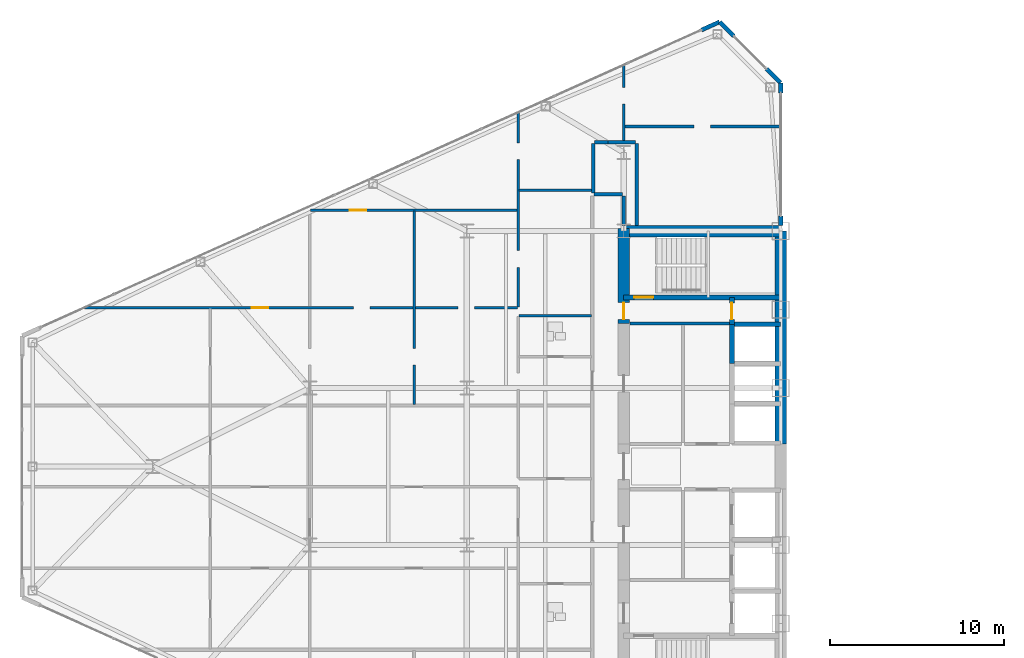
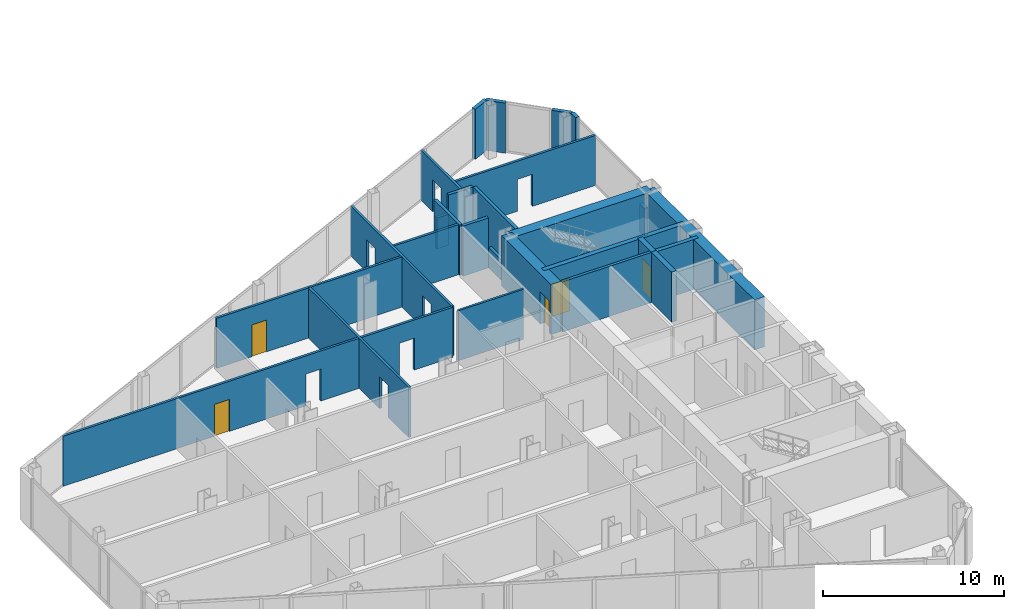
# One storey, part 21 of 27: 27 walls, 5 doors, 12 openings.
"""IFC4 building model written with IfcOpenShell, lengths in metres."""

from ifc_helpers import new_model, si_unit, direction, frame, frame_2d, origin, place, context, subcontext, project, spatial, rectangle, extrude, source, transform, mapped, material, layer, layer_set, type_object, type_shapes, element, fill, save


model = new_model("IFC4")

# Units and contexts
model_context = context("Model", 3, precision=1e-05, world=origin(), true_north=direction((0.0, 1.0)))
body_context = subcontext(model_context, "Body", "Model", "MODEL_VIEW")
ifc_project = project(units=[si_unit("LENGTHUNIT", "METRE"), si_unit("AREAUNIT", "SQUARE_METRE"), si_unit("VOLUMEUNIT", "CUBIC_METRE"), si_unit("PLANEANGLEUNIT", "RADIAN"), si_unit("MASSUNIT", "GRAM", prefix="KILO")], contexts=[model_context])

# Site, building, storey
site_placement = place(None, origin())
site = spatial("IfcSite", under=ifc_project, at=site_placement, CompositionType="ELEMENT")
building_placement = place(site_placement, origin())
building = spatial("IfcBuilding", under=site, at=building_placement, Name="Seokmaru Belvedere", CompositionType="ELEMENT")
storey_placement = place(building_placement, frame((0.0, 0.0, 106.800048828125)))
storey = spatial("IfcBuildingStorey", under=building, at=storey_placement, Name="L28", CompositionType="ELEMENT", Elevation=106.800048828125)

# Wall, openings, door
ifc_material_1 = material(Name="Fire-Rated Gypsum Shaftwall")
ifc_layer_1 = layer(ifc_material_1, 0.14990234375)
ifc_layer_set_1 = layer_set([ifc_layer_1], Name="Fire-Rated Gypsum Shaftwall")
wall_type_1 = type_object("IfcWallType", Name="Apartment Fire-Acoustic Room Partition 150", PredefinedType="PARTITIONING", material=ifc_layer_set_1)
wall_1_placement = place(storey_placement, frame((-67.47802734375, 9.10009765625, 0.0), z_axis=(0.0, 0.0, 1.0), x_axis=(1.0, 0.0, 0.0)))
wall_1 = element("IfcWall", 1, at=wall_1_placement, inside=storey, type_object=wall_type_1, Name="L28 Interior Partition 025", PredefinedType="PARTITIONING", context=body_context, shape_type="SweptSolid", body=[
    extrude(rectangle(XDim=24.8779296875, YDim=0.14990234375, at=frame_2d((12.43896484375, 0.0))), origin(), (0.0, 0.0, 1.0), 3.3798828125),
])
opening_1_placement = place(wall_1_placement, frame((21.465576171875, 0.0, 0.0)))
element("IfcOpeningElement", 2, at=opening_1_placement, cuts=wall_1, Name="L28 Cased Opening 026", PredefinedType="OPENING", context=body_context, shape_type="SweptSolid", body=[
    extrude(rectangle(XDim=0.949951171875, YDim=2.14990234375, at=frame_2d((0.47509765625, 1.074951171875))), frame((0.0, 0.0849609375, 0.0), z_axis=(0.0, -1.0, 0.0), x_axis=(1.0, 0.0, 0.0)), (0.0, 0.0, 1.0), 0.169921875),
])
opening_2_placement = place(wall_1_placement, frame((9.653076171875, 0.0, 0.0)))
opening_2 = element("IfcOpeningElement", 3, at=opening_2_placement, cuts=wall_1, Name="Opening D05", PredefinedType="OPENING", context=body_context, shape_type="SweptSolid", body=[
    extrude(rectangle(XDim=0.949951171875, YDim=2.14990234375, at=frame_2d((0.47509765625, 1.074951171875))), frame((0.0, 0.0849609375, 0.0), z_axis=(0.0, -1.0, 0.0), x_axis=(1.0, 0.0, 0.0)), (0.0, 0.0, 1.0), 0.169921875),
])
opening_3_placement = place(wall_1_placement, frame((15.490478515625, 0.0, 0.0)))
element("IfcOpeningElement", 4, at=opening_3_placement, cuts=wall_1, Name="L28 Cased Opening 031", PredefinedType="OPENING", context=body_context, shape_type="SweptSolid", body=[
    extrude(rectangle(XDim=0.949951171875, YDim=2.14990234375, at=frame_2d((0.47509765625, 1.074951171875))), frame((0.0, 0.0849609375, 0.0), z_axis=(0.0, -1.0, 0.0), x_axis=(1.0, 0.0, 0.0)), (0.0, 0.0, 1.0), 0.169921875),
])
ifc_material_2 = material(Name="Engineered White Oak Timber", Category="wood")
door_type_1 = type_object("IfcDoorType", Name="Apartment Interior Fire-Rated Oak Door 950x2150", OperationType="NOTDEFINED", PredefinedType="DOOR", material=ifc_material_2)
shared_shape_1 = source(origin(), body_context, "Body", "SweptSolid", [
    extrude(rectangle(XDim=0.949951171875, YDim=2.14990234375, at=frame_2d((0.47509765625, 1.074951171875))), frame((0.0, 0.02490234375, 0.0), z_axis=(0.0, -1.0, 0.0), x_axis=(1.0, 0.0, 0.0)), (0.0, 0.0, 1.0), 0.050048828125),
])
type_shapes(door_type_1, [shared_shape_1])
door_1_placement = place(opening_2_placement, origin())
door_1 = element("IfcDoor", 5, at=door_1_placement, inside=storey, type_object=door_type_1, Name="L28 Interior Door 030", OperationType="SINGLE_SWING_RIGHT", OverallHeight=2.14990234375, OverallWidth=0.949951171875, PredefinedType="DOOR", context=body_context, shape_type="MappedRepresentation", body=[
    mapped(shared_shape_1, transform((0.0, 0.0, 0.0), scale=1.0)),
])
fill(opening_2, door_1)

# Wall, opening, door
wall_2_placement = place(storey_placement, frame((-54.449951171875, 14.699951171875, 0.0), z_axis=(0.0, 0.0, 1.0), x_axis=(1.0, 0.0, 0.0)))
wall_2 = element("IfcWall", 6, at=wall_2_placement, inside=storey, type_object=wall_type_1, Name="L28 Interior Partition 028", PredefinedType="PARTITIONING", context=body_context, shape_type="SweptSolid", body=[
    extrude(rectangle(XDim=11.849853515625, YDim=0.14990234375, at=frame_2d((5.9248046875, 0.0))), origin(), (0.0, 0.0, 1.0), 3.3798828125),
])
opening_4_placement = place(wall_2_placement, frame((2.24365234375, 0.0, 0.0)))
opening_4 = element("IfcOpeningElement", 7, at=opening_4_placement, cuts=wall_2, Name="Opening D05", PredefinedType="OPENING", context=body_context, shape_type="SweptSolid", body=[
    extrude(rectangle(XDim=0.949951171875, YDim=2.14990234375, at=frame_2d((0.47509765625, 1.074951171875))), frame((0.0, 0.0849609375, 0.0), z_axis=(0.0, -1.0, 0.0), x_axis=(1.0, 0.0, 0.0)), (0.0, 0.0, 1.0), 0.169921875),
])
door_2_placement = place(opening_4_placement, origin())
door_2 = element("IfcDoor", 8, at=door_2_placement, inside=storey, type_object=door_type_1, Name="L28 Interior Door 032", OperationType="SINGLE_SWING_LEFT", OverallHeight=2.14990234375, OverallWidth=0.949951171875, PredefinedType="DOOR", context=body_context, shape_type="MappedRepresentation", body=[
    mapped(shared_shape_1, transform((0.0, 0.0, 0.0), scale=1.0)),
])
fill(opening_4, door_2)

# Wall
wall_3_placement = place(storey_placement, frame((-42.5, 15.840087890625, 0.0), z_axis=(0.0, 0.0, 1.0), x_axis=(1.0, 0.0, 0.0)))
element("IfcWall", 9, at=wall_3_placement, inside=storey, type_object=wall_type_1, Name="L28 Interior Partition 031", PredefinedType="PARTITIONING", context=body_context, shape_type="SweptSolid", body=[
    extrude(rectangle(XDim=4.199951171875, YDim=0.14990234375, at=frame_2d((2.10009765625, 0.0))), origin(), (0.0, 0.0, 1.0), 3.3798828125),
])

# Wall, opening
wall_4_placement = place(storey_placement, frame((-36.449951171875, 19.5, 0.0), z_axis=(0.0, 0.0, 1.0), x_axis=(1.0, 0.0, 0.0)))
wall_4 = element("IfcWall", 10, at=wall_4_placement, inside=storey, type_object=wall_type_1, Name="L28 Interior Partition 035", PredefinedType="PARTITIONING", context=body_context, shape_type="SweptSolid", body=[
    extrude(rectangle(XDim=8.98486328125, YDim=0.14990234375, at=frame_2d((4.492431640625, 0.0))), origin(), (0.0, 0.0, 1.0), 3.3798828125),
])
opening_5_placement = place(wall_4_placement, frame((3.97509765625, 0.0, 0.0)))
element("IfcOpeningElement", 11, at=opening_5_placement, cuts=wall_4, Name="L28 Cased Opening 035", PredefinedType="OPENING", context=body_context, shape_type="SweptSolid", body=[
    extrude(rectangle(XDim=0.949951171875, YDim=2.14990234375, at=frame_2d((0.47509765625, 1.074951171875))), frame((0.0, 0.0849609375, 0.0), z_axis=(0.0, -1.0, 0.0), x_axis=(1.0, 0.0, 0.0)), (0.0, 0.0, 1.0), 0.169921875),
])

wall_5_placement = place(storey_placement, frame((-48.52001953125, 3.550048828125, 0.0), z_axis=(0.0, 0.0, 1.0), x_axis=(0.0, 1.0, 0.0)))
wall_5 = element("IfcWall", 12, at=wall_5_placement, inside=storey, type_object=wall_type_1, Name="L28 Interior Partition 040", PredefinedType="PARTITIONING", context=body_context, shape_type="SweptSolid", body=[
    extrude(rectangle(XDim=11.10205078125, YDim=0.14990234375, at=frame_2d((5.551025390625, 0.0))), origin(), (0.0, 0.0, 1.0), 3.3798828125),
])
opening_6_placement = place(wall_5_placement, frame((2.275390625, 0.0, 0.0)))
element("IfcOpeningElement", 13, at=opening_6_placement, cuts=wall_5, Name="L28 Cased Opening 025", PredefinedType="OPENING", context=body_context, shape_type="SweptSolid", body=[
    extrude(rectangle(XDim=0.949951171875, YDim=2.14990234375, at=frame_2d((0.47509765625, 1.074951171875))), frame((0.0, 0.0849609375, 0.0), z_axis=(0.0, -1.0, 0.0), x_axis=(1.0, 0.0, 0.0)), (0.0, 0.0, 1.0), 0.169921875),
])

# Wall, openings
wall_6_placement = place(storey_placement, frame((-42.550048828125, 9.15087890625, 0.0), z_axis=(0.0, 0.0, 1.0), x_axis=(0.0, 1.0, 0.0)))
wall_6 = element("IfcWall", 14, at=wall_6_placement, inside=storey, type_object=wall_type_1, Name="L28 Interior Partition 043", PredefinedType="PARTITIONING", context=body_context, shape_type="SweptSolid", body=[
    extrude(rectangle(XDim=11.18603515625, YDim=0.14990234375, at=frame_2d((5.593017578125, 0.0))), origin(), (0.0, 0.0, 1.0), 3.3798828125),
])
opening_7_placement = place(wall_6_placement, frame((2.275390625, 0.0, 0.0)))
element("IfcOpeningElement", 15, at=opening_7_placement, cuts=wall_6, Name="L28 Cased Opening 027", PredefinedType="OPENING", context=body_context, shape_type="SweptSolid", body=[
    extrude(rectangle(XDim=0.949951171875, YDim=2.14990234375, at=frame_2d((0.47509765625, 1.074951171875))), frame((0.0, 0.0849609375, 0.0), z_axis=(0.0, -1.0, 0.0), x_axis=(1.0, 0.0, 0.0)), (0.0, 0.0, 1.0), 0.169921875),
])
opening_8_placement = place(wall_6_placement, frame((8.44287109375, 0.0, 0.0)))
element("IfcOpeningElement", 16, at=opening_8_placement, cuts=wall_6, Name="L28 Cased Opening 033", PredefinedType="OPENING", context=body_context, shape_type="SweptSolid", body=[
    extrude(rectangle(XDim=0.949951171875, YDim=2.14990234375, at=frame_2d((0.47509765625, 1.074951171875))), frame((0.0, 0.0849609375, 0.0), z_axis=(0.0, -1.0, 0.0), x_axis=(1.0, 0.0, 0.0)), (0.0, 0.0, 1.0), 0.169921875),
])

# Wall, opening
wall_7_placement = place(storey_placement, frame((-36.5, 18.64990234375, 0.0), z_axis=(0.0, 0.0, 1.0), x_axis=(0.0, 1.0, 0.0)))
wall_7 = element("IfcWall", 17, at=wall_7_placement, inside=storey, type_object=wall_type_1, Name="L28 Interior Partition 050", PredefinedType="PARTITIONING", context=body_context, shape_type="SweptSolid", body=[
    extrude(rectangle(XDim=4.41015625, YDim=0.14990234375, at=frame_2d((2.205078125, 0.0))), origin(), (0.0, 0.0, 1.0), 3.3798828125),
])
opening_9_placement = place(wall_7_placement, frame((2.137451171875, 0.0, 0.0)))
element("IfcOpeningElement", 18, at=opening_9_placement, cuts=wall_7, Name="L28 Cased Opening 034", PredefinedType="OPENING", context=body_context, shape_type="SweptSolid", body=[
    extrude(rectangle(XDim=0.949951171875, YDim=2.14990234375, at=frame_2d((0.47509765625, 1.074951171875))), frame((0.0, 0.0849609375, 0.0), z_axis=(0.0, -1.0, 0.0), x_axis=(1.0, 0.0, 0.0)), (0.0, 0.0, 1.0), 0.169921875),
])

# Walls
ifc_layer_2 = layer(ifc_material_1, 0.179931640625)
ifc_layer_set_2 = layer_set([ifc_layer_2], Name="Fire-Rated Gypsum Shaftwall")
wall_type_2 = type_object("IfcWallType", Name="Core Service Fire Partition 180", PredefinedType="PARTITIONING", material=ifc_layer_set_2)
wall_8_placement = place(storey_placement, frame((-36.14990234375, 8.199951171875, 0.0), z_axis=(0.0, 0.0, 1.0), x_axis=(1.0, 0.0, 0.0)))
element("IfcWall", 19, at=wall_8_placement, inside=storey, type_object=wall_type_2, Name="L28 West Smokeproof Vestibule Partition", PredefinedType="PARTITIONING", context=body_context, shape_type="SweptSolid", body=[
    extrude(rectangle(XDim=5.699951171875, YDim=0.179931640625, at=frame_2d((2.85009765625, 0.0))), origin(), (0.0, 0.0, 1.0), 3.3798828125),
])
ifc_material_3 = material(Name="Concrete C50 (50 MPa)", Category="concrete")
ifc_layer_3 = layer(ifc_material_3, 0.25)
ifc_layer_set_3 = layer_set([ifc_layer_3], Name="Concrete C50 (50 MPa)")
wall_type_3 = type_object("IfcWallType", Name="Hoistway Transverse Concrete Divider Wall 250", PredefinedType="SHEAR", material=ifc_layer_set_3)
wall_9_placement = place(storey_placement, frame((-30.300048828125, 8.14990234375, 0.0), z_axis=(0.0, 0.0, 1.0), x_axis=(1.0, 0.0, 0.0)))
element("IfcWall", 20, at=wall_9_placement, inside=storey, type_object=wall_type_3, Name="L28 West Hoistway Divider Core Wall 7", PredefinedType="SHEAR", context=body_context, shape_type="SweptSolid", body=[
    extrude(rectangle(XDim=2.800048828125, YDim=0.25, at=frame_2d((1.39990234375, 0.0))), origin(), (0.0, 0.0, 1.0), 3.3798828125),
])
ifc_layer_4 = layer(ifc_material_1, 0.199951171875)
ifc_layer_set_4 = layer_set([ifc_layer_4], Name="Fire-Rated Gypsum Shaftwall")
wall_type_4 = type_object("IfcWallType", Name="Inter-Tenancy Fire Compartment Partition 200", PredefinedType="PARTITIONING", material=ifc_layer_set_4)
wall_10_placement = place(storey_placement, frame((-38.215087890625, 15.60009765625, 0.0), z_axis=(0.0, 0.0, 1.0), x_axis=(1.0, 0.0, 0.0)))
element("IfcWall", 21, at=wall_10_placement, inside=storey, type_object=wall_type_4, Name="L28 Interior Partition 029", PredefinedType="PARTITIONING", context=body_context, shape_type="SweptSolid", body=[
    extrude(rectangle(XDim=1.630126953125, YDim=0.199951171875, at=frame_2d((0.81494140625, 0.0))), origin(), (0.0, 0.0, 1.0), 3.3798828125),
])
wall_11_placement = place(storey_placement, frame((-38.1650390625, 18.60009765625, 0.0), z_axis=(0.0, 0.0, 1.0), x_axis=(1.0, 0.0, 0.0)))
element("IfcWall", 22, at=wall_11_placement, inside=storey, type_object=wall_type_4, Name="L28 Interior Partition 033", PredefinedType="PARTITIONING", context=body_context, shape_type="SweptSolid", body=[
    extrude(rectangle(XDim=0.753173828125, YDim=0.199951171875, at=frame_2d((0.37646484375, 0.0))), origin(), (0.0, 0.0, 1.0), 2.079833984375),
])
wall_12_placement = place(storey_placement, frame((-37.411865234375, 18.60009765625, 0.0), z_axis=(0.0, 0.0, 1.0), x_axis=(1.0, 0.0, 0.0)))
element("IfcWall", 23, at=wall_12_placement, inside=storey, type_object=wall_type_4, Name="L28 Interior Partition 033 Part 2", PredefinedType="PARTITIONING", context=body_context, shape_type="SweptSolid", body=[
    extrude(rectangle(XDim=1.576904296875, YDim=0.199951171875, at=frame_2d((0.78857421875, 0.0))), origin(), (0.0, 0.0, 1.0), 3.3798828125),
])
wall_13_placement = place(storey_placement, frame((-38.25, 15.68505859375, 0.0), z_axis=(0.0, 0.0, 1.0), x_axis=(0.0, 1.0, 0.0)))
element("IfcWall", 24, at=wall_13_placement, inside=storey, type_object=wall_type_4, Name="L28 Interior Partition 046", PredefinedType="PARTITIONING", context=body_context, shape_type="SweptSolid", body=[
    extrude(rectangle(XDim=2.829833984375, YDim=0.199951171875, at=frame_2d((1.4150390625, 0.0))), origin(), (0.0, 0.0, 1.0), 3.3798828125),
])
wall_14_placement = place(storey_placement, frame((-36.5, 13.830078125, 0.0), z_axis=(0.0, 0.0, 1.0), x_axis=(0.0, 1.0, 0.0)))
element("IfcWall", 25, at=wall_14_placement, inside=storey, type_object=wall_type_4, Name="L28 Interior Partition 049", PredefinedType="PARTITIONING", context=body_context, shape_type="SweptSolid", body=[
    extrude(rectangle(XDim=1.684814453125, YDim=0.199951171875, at=frame_2d((0.84228515625, 0.0))), origin(), (0.0, 0.0, 1.0), 1.3798828125),
])
wall_15_placement = place(storey_placement, frame((-35.75, 13.830078125, 0.0), z_axis=(0.0, 0.0, 1.0), x_axis=(0.0, 1.0, 0.0)))
element("IfcWall", 26, at=wall_15_placement, inside=storey, type_object=wall_type_4, Name="L28 Interior Partition 052", PredefinedType="PARTITIONING", context=body_context, shape_type="SweptSolid", body=[
    extrude(rectangle(XDim=4.684814453125, YDim=0.199951171875, at=frame_2d((2.34228515625, 0.0))), origin(), (0.0, 0.0, 1.0), 3.3798828125),
])

# Wall, opening, door
ifc_layer_5 = layer(ifc_material_3, 0.300048828125)
ifc_layer_set_5 = layer_set([ifc_layer_5], Name="Concrete C50 (50 MPa)")
wall_type_5 = type_object("IfcWallType", Name="Internal Core Stair and Hoistway Wall 300", PredefinedType="SHEAR", material=ifc_layer_set_5)
wall_16_placement = place(storey_placement, frame((-36.5, 9.699951171875, 0.0), z_axis=(0.0, 0.0, 1.0), x_axis=(1.0, 0.0, 0.0)))
wall_16 = element("IfcWall", 27, at=wall_16_placement, inside=storey, type_object=wall_type_5, Name="L28 West Stair ST-2 Enclosure Wall", PredefinedType="SHEAR", context=body_context, shape_type="SweptSolid", body=[
    extrude(rectangle(XDim=9.0, YDim=0.300048828125, at=frame_2d((4.5, 0.0))), origin(), (0.0, 0.0, 1.0), 3.3798828125),
])
opening_10_placement = place(wall_16_placement, frame((0.60009765625, 0.0, 0.0)))
opening_10 = element("IfcOpeningElement", 28, at=opening_10_placement, cuts=wall_16, Name="Opening D01", PredefinedType="OPENING", context=body_context, shape_type="SweptSolid", body=[
    extrude(rectangle(XDim=1.10009765625, YDim=2.199951171875, at=frame_2d((0.550048828125, 1.10009765625))), frame((0.0, 0.16015625, 0.0), z_axis=(0.0, -1.0, 0.0), x_axis=(1.0, 0.0, 0.0)), (0.0, 0.0, 1.0), 0.320068359375),
])
ifc_material_4 = material(Name="Fire-Rated Steel Leaf", Category="steel")
door_type_2 = type_object("IfcDoorType", Name="Special Escape Stair Smokeproof Fire Door 1100x2200", OperationType="NOTDEFINED", PredefinedType="DOOR", material=ifc_material_4)
shared_shape_2 = source(origin(), body_context, "Body", "SweptSolid", [
    extrude(rectangle(XDim=1.10009765625, YDim=2.199951171875, at=frame_2d((0.550048828125, 1.10009765625))), frame((0.0, 0.02490234375, 0.0), z_axis=(0.0, -1.0, 0.0), x_axis=(1.0, 0.0, 0.0)), (0.0, 0.0, 1.0), 0.050048828125),
])
type_shapes(door_type_2, [shared_shape_2])
door_3_placement = place(opening_10_placement, origin())
door_3 = element("IfcDoor", 29, at=door_3_placement, inside=storey, type_object=door_type_2, Name="L28 West Special Escape Stair ST-2 Door", OperationType="SINGLE_SWING_RIGHT", OverallHeight=2.199951171875, OverallWidth=1.10009765625, PredefinedType="DOOR", context=body_context, shape_type="MappedRepresentation", body=[
    mapped(shared_shape_2, transform((0.0, 0.0, 0.0), scale=1.0)),
])
fill(opening_10, door_3)

# Wall
wall_17_placement = place(storey_placement, frame((-30.300048828125, 5.89990234375, 0.0), z_axis=(0.0, 0.0, 1.0), x_axis=(0.0, 1.0, 0.0)))
element("IfcWall", 30, at=wall_17_placement, inside=storey, type_object=wall_type_5, Name="L28 West North Hoistway Wall OBS", PredefinedType="SHEAR", context=body_context, shape_type="SweptSolid", body=[
    extrude(rectangle(XDim=2.25, YDim=0.300048828125, at=frame_2d((1.125, 0.0))), origin(), (0.0, 0.0, 1.0), 3.3798828125),
])

# Wall, opening, door
wall_18_placement = place(storey_placement, frame((-30.300048828125, 8.14990234375, 0.0), z_axis=(0.0, 0.0, 1.0), x_axis=(0.0, 1.0, 0.0)))
wall_18 = element("IfcWall", 31, at=wall_18_placement, inside=storey, type_object=wall_type_5, Name="L28 West Electrical Riser Front Wall", PredefinedType="SHEAR", context=body_context, shape_type="SweptSolid", body=[
    extrude(rectangle(XDim=1.530029296875, YDim=0.300048828125, at=frame_2d((0.76513671875, 0.0))), origin(), (0.0, 0.0, 1.0), 3.3798828125),
])
opening_11_placement = place(wall_18_placement, frame((0.284912109375, 0.0, 0.0)))
opening_11 = element("IfcOpeningElement", 32, at=opening_11_placement, cuts=wall_18, Name="Opening D04", PredefinedType="OPENING", context=body_context, shape_type="SweptSolid", body=[
    extrude(rectangle(XDim=0.949951171875, YDim=2.14990234375, at=frame_2d((0.47509765625, 1.074951171875))), frame((0.0, 0.16015625, 0.0), z_axis=(0.0, -1.0, 0.0), x_axis=(1.0, 0.0, 0.0)), (0.0, 0.0, 1.0), 0.320068359375),
])
door_type_3 = type_object("IfcDoorType", Name="Core Service Room Fire Door 950x2150", OperationType="NOTDEFINED", PredefinedType="DOOR", material=ifc_material_4)
shared_shape_3 = source(origin(), body_context, "Body", "SweptSolid", [
    extrude(rectangle(XDim=0.949951171875, YDim=2.14990234375, at=frame_2d((0.47509765625, 1.074951171875))), frame((0.0, 0.02490234375, 0.0), z_axis=(0.0, -1.0, 0.0), x_axis=(1.0, 0.0, 0.0)), (0.0, 0.0, 1.0), 0.050048828125),
])
type_shapes(door_type_3, [shared_shape_3])
door_4_placement = place(opening_11_placement, origin())
door_4 = element("IfcDoor", 33, at=door_4_placement, inside=storey, type_object=door_type_3, Name="L28 West Electrical Riser Access Door", OperationType="SINGLE_SWING_LEFT", OverallHeight=2.14990234375, OverallWidth=0.949951171875, PredefinedType="DOOR", context=body_context, shape_type="MappedRepresentation", body=[
    mapped(shared_shape_3, transform((0.0, 0.0, 0.0), scale=1.0)),
])
fill(opening_11, door_4)

# Walls
ifc_material_5 = material(Name="Concrete C60 (60 MPa)", Category="concrete")
ifc_layer_6 = layer(ifc_material_5, 0.64990234375)
ifc_layer_set_6 = layer_set([ifc_layer_6], Name="Concrete C60 (60 MPa)")
wall_type_6 = type_object("IfcWallType", Name="Mid-Low Reinforced Concrete Core Wall 650", PredefinedType="SHEAR", material=ifc_layer_set_6)
wall_19_placement = place(storey_placement, frame((-27.5, 1.300048828125, 0.0), z_axis=(0.0, 0.0, 1.0), x_axis=(0.0, 1.0, 0.0)))
element("IfcWall", 34, at=wall_19_placement, inside=storey, type_object=wall_type_6, Name="L28 West Portal Spine Core Wall North", PredefinedType="SHEAR", context=body_context, shape_type="SweptSolid", body=[
    extrude(rectangle(XDim=12.199951171875, YDim=0.64990234375, at=frame_2d((6.10009765625, 0.0))), origin(), (0.0, 0.0, 1.0), 3.3798828125),
])
wall_20_placement = place(storey_placement, frame((-36.5, 13.5, 0.0), z_axis=(0.0, 0.0, 1.0), x_axis=(1.0, 0.0, 0.0)))
element("IfcWall", 35, at=wall_20_placement, inside=storey, type_object=wall_type_6, Name="L28 West North Core Wall", PredefinedType="SHEAR", context=body_context, shape_type="SweptSolid", body=[
    extrude(rectangle(XDim=9.0, YDim=0.64990234375, at=frame_2d((4.5, 0.0))), origin(), (0.0, 0.0, 1.0), 3.3798828125),
])

# Wall, opening, door
wall_21_placement = place(storey_placement, frame((-36.5, 8.199951171875, 0.0), z_axis=(0.0, 0.0, 1.0), x_axis=(0.0, 1.0, 0.0)))
wall_21 = element("IfcWall", 36, at=wall_21_placement, inside=storey, type_object=wall_type_6, Name="L28 West West Core Wall VST", PredefinedType="SHEAR", context=body_context, shape_type="SweptSolid", body=[
    extrude(rectangle(XDim=5.449951171875, YDim=0.64990234375, at=frame_2d((2.72509765625, 0.0))), origin(), (0.0, 0.0, 1.0), 3.3798828125),
])
opening_12_placement = place(wall_21_placement, frame((0.2451171875, 0.0, 0.0)))
opening_12 = element("IfcOpeningElement", 37, at=opening_12_placement, cuts=wall_21, Name="Opening D04", PredefinedType="OPENING", context=body_context, shape_type="SweptSolid", body=[
    extrude(rectangle(XDim=0.949951171875, YDim=2.14990234375, at=frame_2d((0.47509765625, 1.074951171875))), frame((0.0, 0.3349609375, 0.0), z_axis=(0.0, -1.0, 0.0), x_axis=(1.0, 0.0, 0.0)), (0.0, 0.0, 1.0), 0.669921875),
])
door_5_placement = place(opening_12_placement, frame((0.949951171875, 0.0, 0.0), z_axis=(0.0, 0.0, 1.0), x_axis=(-1.0, 0.0, 0.0)))
door_5 = element("IfcDoor", 38, at=door_5_placement, inside=storey, type_object=door_type_3, Name="L28 West Smokeproof Vestibule Door", OperationType="SINGLE_SWING_RIGHT", OverallHeight=2.14990234375, OverallWidth=0.949951171875, PredefinedType="DOOR", context=body_context, shape_type="MappedRepresentation", body=[
    mapped(shared_shape_3, transform((0.0, 0.0, 0.0), scale=1.0)),
])
fill(opening_12, door_5)

# Walls
ifc_layer_7 = layer(ifc_material_1, 0.1298828125)
ifc_layer_set_7 = layer_set([ifc_layer_7], Name="Fire-Rated Gypsum Shaftwall")
wall_type_7 = type_object("IfcWallType", Name="Moisture-Resistant Fire-Rated Bathroom Partition 130", PredefinedType="PARTITIONING", material=ifc_layer_set_7)
wall_22_placement = place(storey_placement, frame((-42.5, 8.639892578125, 0.0), z_axis=(0.0, 0.0, 1.0), x_axis=(1.0, 0.0, 0.0)))
element("IfcWall", 39, at=wall_22_placement, inside=storey, type_object=wall_type_7, Name="L28 Interior Partition 024", PredefinedType="PARTITIONING", context=body_context, shape_type="SweptSolid", body=[
    extrude(rectangle(XDim=4.14990234375, YDim=0.1298828125, at=frame_2d((2.074951171875, 0.0))), origin(), (0.0, 0.0, 1.0), 3.3798828125),
])
ifc_material_6 = material(Name="Anodised Bronze Aluminium", Category="aluminium")
ifc_layer_8 = layer(ifc_material_6, 0.239990234375)
ifc_layer_set_8 = layer_set([ifc_layer_8], Name="Anodised Bronze Aluminium")
wall_type_8 = type_object("IfcWallType", Name="Tower Corner Spandrel Closure Wall 240", PredefinedType="SOLIDWALL", material=ifc_layer_set_8)
wall_23_placement = place(storey_placement, frame((-27.5, 13.830078125, 0.0), z_axis=(0.0, 0.0, 1.0), x_axis=(0.0, 1.0, 0.0)))
element("IfcWall", 40, at=wall_23_placement, inside=storey, type_object=wall_type_8, Name="L28 W Spine Closure Pier 2A", PredefinedType="SOLIDWALL", context=body_context, shape_type="SweptSolid", body=[
    extrude(rectangle(XDim=0.5498046875, YDim=0.239990234375, at=frame_2d((0.27490234375, 0.0))), origin(), (0.0, 0.0, 1.0), 1.8798828125),
])
wall_24_placement = place(storey_placement, frame((-27.5, 21.429931640625, 0.0), z_axis=(0.0, 0.0, 1.0), x_axis=(0.0, 1.0, 0.0)))
element("IfcWall", 41, at=wall_24_placement, inside=storey, type_object=wall_type_8, Name="L28 W Spine Closure Pier 2B", PredefinedType="SOLIDWALL", context=body_context, shape_type="SweptSolid", body=[
    extrude(rectangle(XDim=0.550048828125, YDim=0.239990234375, at=frame_2d((0.27490234375, 0.0))), origin(), (0.0, 0.0, 1.0), 3.3798828125),
])
for number, where, z_axis, x_axis, name in (
    (42, (-27.507080078125, 22.007080078125, 0.0), (0.0, 0.0, 1.0), (-0.707106781187, 0.707106781187, 0.0), "L28 W Corner Closure Pier 2A"),
    (43, (-30.186767578125, 24.686767578125, 0.0), (0.0, 0.0, 1.0), (-0.707106781187, 0.707106781187, 0.0), "L28 W Corner Closure Pier 2B"),
):
    element("IfcWall", number, at=place(storey_placement, frame(where, z_axis=z_axis, x_axis=x_axis)), inside=storey, type_object=wall_type_8, Name=name, PredefinedType="SOLIDWALL", context=body_context, shape_type="SweptSolid", body=[
        extrude(rectangle(XDim=1.14013671875, YDim=0.239990234375, at=frame_2d((0.570068359375, 0.0))), origin(), (0.0, 0.0, 1.0), 3.3798828125),
    ])
wall_25_placement = place(storey_placement, frame((-31.009033203125, 25.495849609375, 0.0), z_axis=(0.0, 0.0, 1.0), x_axis=(-0.911929519623, -0.410346866979, 0.0)))
element("IfcWall", 44, at=wall_25_placement, inside=storey, type_object=wall_type_8, Name="L28 W Corner Closure Pier 3A", PredefinedType="SOLIDWALL", context=body_context, shape_type="SweptSolid", body=[
    extrude(rectangle(XDim=1.139892578125, YDim=0.239990234375, at=frame_2d((0.56982421875, 0.0))), origin(), (0.0, 0.0, 1.0), 3.3798828125),
])

save(model, "model.ifc")
